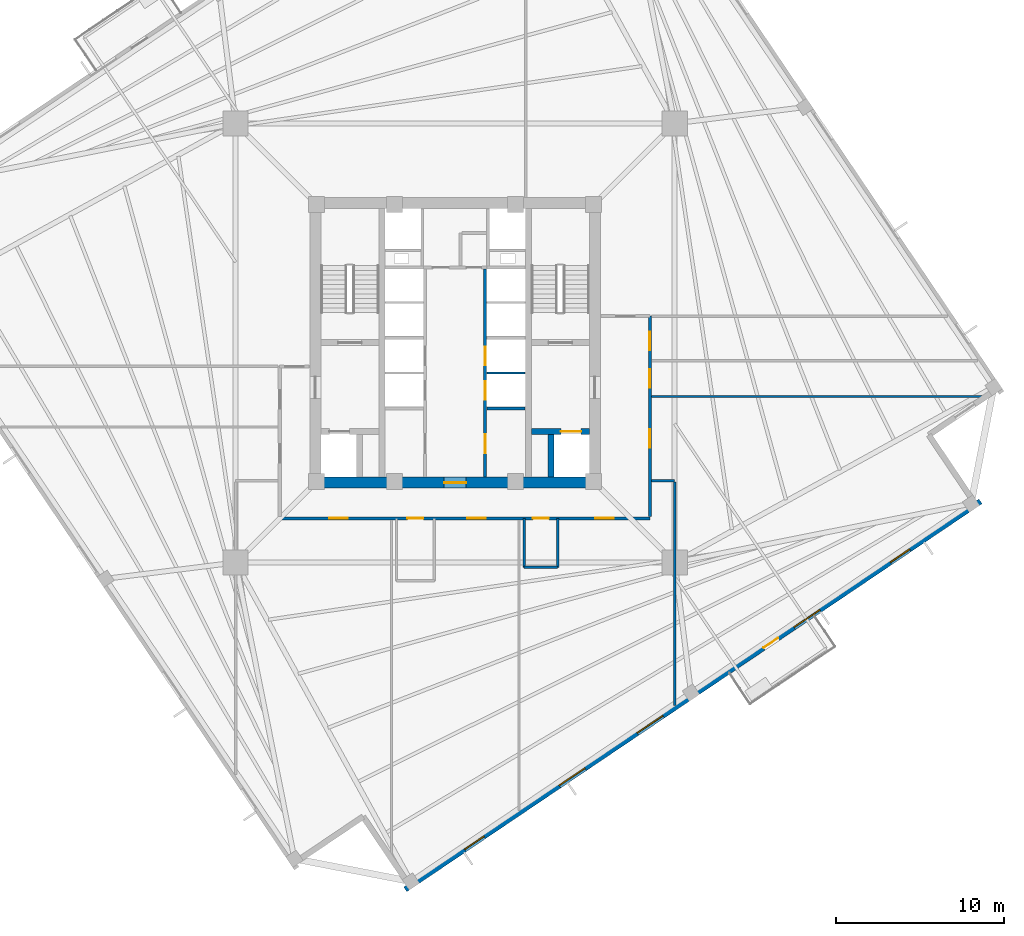
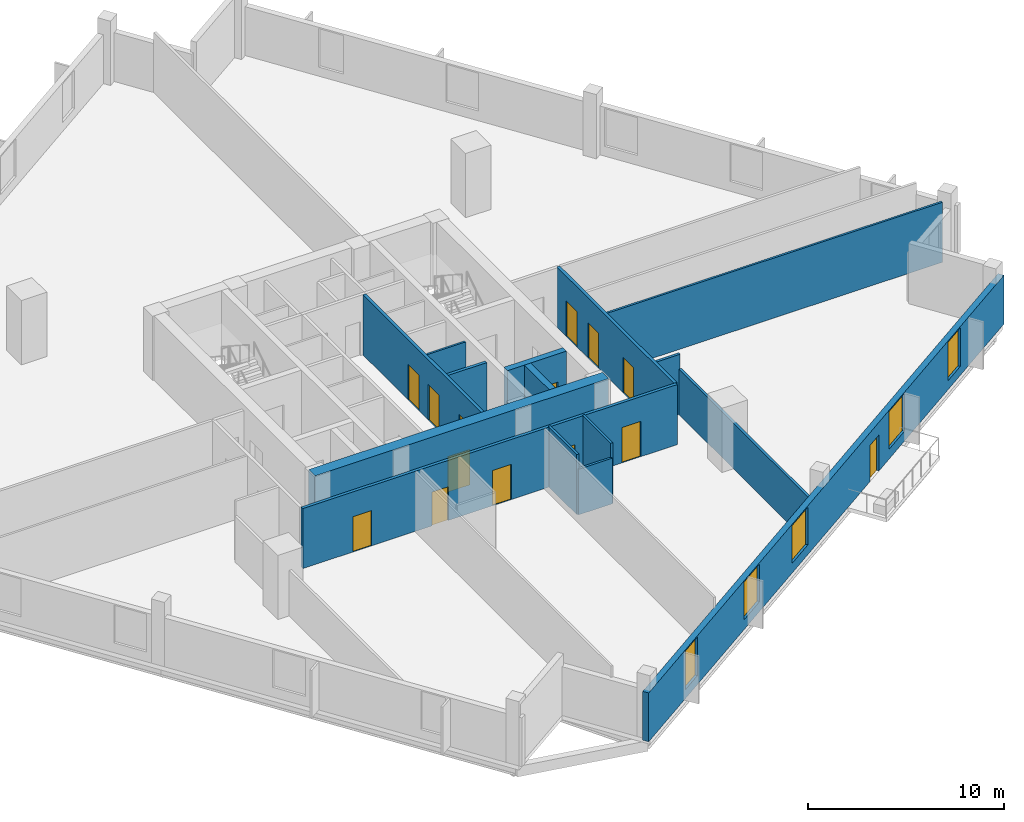
# One storey, part 3 of 8: 15 walls, 14 doors, 5 windows, 19 openings.
"""IFC4 building model written with IfcOpenShell, lengths in metres."""

from ifc_helpers import new_model, si_unit, direction, frame, frame_2d, origin, place, context, subcontext, project, spatial, rectangle, extrude, source, transform, mapped, material, layer, layer_set, type_object, element, fill, save


model = new_model("IFC4")

# Units and contexts
model_context = context("Model", 3, precision=1e-05, world=origin(), true_north=direction((0.0, 1.0)))
body_context = subcontext(model_context, "Body", "Model", "MODEL_VIEW")
ifc_project = project(units=[si_unit("LENGTHUNIT", "METRE"), si_unit("AREAUNIT", "SQUARE_METRE"), si_unit("VOLUMEUNIT", "CUBIC_METRE"), si_unit("PLANEANGLEUNIT", "RADIAN"), si_unit("MASSUNIT", "GRAM", prefix="KILO"), si_unit("THERMODYNAMICTEMPERATUREUNIT", "KELVIN")], contexts=[model_context])

# Site, building, storey
site_placement = place(None, origin())
site = spatial("IfcSite", under=ifc_project, at=site_placement, CompositionType="ELEMENT")
building_placement = place(site_placement, origin())
building = spatial("IfcBuilding", under=site, at=building_placement, Name="Kosmvard Interchange Tower", CompositionType="ELEMENT")
storey_placement = place(building_placement, frame((0.0, 0.0, 172.39990234375)))
storey = spatial("IfcBuildingStorey", under=building, at=storey_placement, Name="L41", CompositionType="ELEMENT", Elevation=172.39990234375)

# Walls
ifc_material_1 = material(Name="Acoustic gypsum partition system")
ifc_layer_1 = layer(ifc_material_1, 0.14990234375, Name="Acoustic gypsum partition system")
ifc_layer_set_1 = layer_set([ifc_layer_1], Name="Acoustic gypsum partition system")
wall_type_1 = type_object("IfcWallType", Name="Acoustic Suite & Meeting Partition 150", PredefinedType="PARTITIONING", material=ifc_layer_set_1)
wall_1_placement = place(storey_placement, frame((11.695068359375, -8.199951171875, 0.0), z_axis=(0.0, 0.0, 1.0), x_axis=(1.0, 0.0, 0.0)))
element("IfcWall", 1, at=wall_1_placement, inside=storey, type_object=wall_type_1, Name="L41 Room Partition 10.1", PredefinedType="PARTITIONING", context=body_context, shape_type="SweptSolid", body=[
    extrude(rectangle(XDim=1.385986328125, YDim=0.14990234375, at=frame_2d((0.69287109375, 0.0))), origin(), (0.0, 0.0, 1.0), 3.739990234375),
])
wall_2_placement = place(storey_placement, frame((13.0810546875, -8.27490234375, 0.0), z_axis=(0.0, 0.0, 1.0), x_axis=(0.0, -1.0, 0.0)))
element("IfcWall", 2, at=wall_2_placement, inside=storey, type_object=wall_type_1, Name="L41 Room Partition 11.1", PredefinedType="PARTITIONING", context=body_context, shape_type="SweptSolid", body=[
    extrude(rectangle(XDim=13.32861328125, YDim=0.14990234375, at=frame_2d((6.664306640625, 0.0))), origin(), (0.0, 0.0, 1.0), 2.840087890625),
])

# Wall, openings, doors
ifc_material_2 = material(Name="Fire-rated gypsum partition system")
ifc_layer_2 = layer(ifc_material_2, 0.179931640625, Name="Fire-rated gypsum partition system")
ifc_layer_set_2 = layer_set([ifc_layer_2], Name="Fire-rated gypsum partition system")
wall_type_2 = type_object("IfcWallType", Name="Corridor & Hotel Compartment Partition 180", PredefinedType="PARTITIONING", material=ifc_layer_set_2)
wall_3_placement = place(storey_placement, frame((1.7900390625, -7.97998046875, 0.0), z_axis=(0.0, 0.0, 1.0), x_axis=(0.0, 1.0, 0.0)))
wall_3 = element("IfcWall", 3, at=wall_3_placement, inside=storey, type_object=wall_type_2, Name="L41 East Lift Bank Front Wall", PredefinedType="PARTITIONING", context=body_context, shape_type="SweptSolid", body=[
    extrude(rectangle(XDim=12.3798828125, YDim=0.179931640625, at=frame_2d((6.18994140625, 0.0))), origin(), (0.0, 0.0, 1.0), 3.739990234375),
])
opening_1_placement = place(wall_3_placement, frame((4.60009765625, 0.0, 0.0)))
opening_1 = element("IfcOpeningElement", 4, at=opening_1_placement, cuts=wall_3, Name="Opening LD-PL-M3-L41", PredefinedType="OPENING", context=body_context, shape_type="SweptSolid", body=[
    extrude(rectangle(XDim=1.10009765625, YDim=2.199951171875, at=frame_2d((0.550048828125, 1.10009765625))), frame((0.0, 0.10009765625, 0.0), z_axis=(0.0, -1.0, 0.0), x_axis=(1.0, 0.0, 0.0)), (0.0, 0.0, 1.0), 0.199951171875),
])
opening_2_placement = place(wall_3_placement, frame((6.659912109375, 0.0, 0.0)))
opening_2 = element("IfcOpeningElement", 5, at=opening_2_placement, cuts=wall_3, Name="Opening LD-PL-M4-L41", PredefinedType="OPENING", context=body_context, shape_type="SweptSolid", body=[
    extrude(rectangle(XDim=1.10009765625, YDim=2.199951171875, at=frame_2d((0.550048828125, 1.10009765625))), frame((0.0, 0.10009765625, 0.0), z_axis=(0.0, -1.0, 0.0), x_axis=(1.0, 0.0, 0.0)), (0.0, 0.0, 1.0), 0.199951171875),
])
opening_3_placement = place(wall_3_placement, frame((1.39990234375, 0.0, 0.0)))
opening_3 = element("IfcOpeningElement", 6, at=opening_3_placement, cuts=wall_3, Name="Opening L41-CD2", PredefinedType="OPENING", context=body_context, shape_type="SweptSolid", body=[
    extrude(rectangle(XDim=1.14990234375, YDim=2.25, at=frame_2d((0.574951171875, 1.125))), frame((0.0, 0.10009765625, 0.0), z_axis=(0.0, -1.0, 0.0), x_axis=(1.0, 0.0, 0.0)), (0.0, 0.0, 1.0), 0.199951171875),
])
ifc_material_3 = material(Name="Painted fire-rated steel leaf", Category="steel")
door_type_1 = type_object("IfcDoorType", Name="Plant & Riser Fire Door 1150x2250 EI60", OperationType="NOTDEFINED", PredefinedType="DOOR", material=ifc_material_3)
shared_shape_1 = source(origin(), body_context, "Body", "SweptSolid", [
    extrude(rectangle(XDim=1.14990234375, YDim=2.25, at=frame_2d((0.574951171875, 1.125))), frame((0.0, 0.02490234375, 0.0), z_axis=(0.0, -1.0, 0.0), x_axis=(1.0, 0.0, 0.0)), (0.0, 0.0, 1.0), 0.050048828125),
])
door_1_placement = place(opening_3_placement, frame((1.14990234375, 0.0, 0.0), z_axis=(0.0, 0.0, 1.0), x_axis=(-1.0, 0.0, 0.0)))
door_1 = element("IfcDoor", 7, at=door_1_placement, inside=storey, type_object=door_type_1, Name="L41 Core BMS Door", OperationType="SINGLE_SWING_RIGHT", OverallHeight=2.25, OverallWidth=1.14990234375, PredefinedType="DOOR", context=body_context, shape_type="MappedRepresentation", body=[
    mapped(shared_shape_1, transform((0.0, 0.0, 0.0), scale=1.0)),
])
fill(opening_3, door_1)
ifc_material_4 = material(Name="Brushed stainless steel sliding leaf", Category="steel")
door_type_2 = type_object("IfcDoorType", Name="Passenger Lift Sliding Landing Door 1100x2200 EI60", OperationType="DOUBLE_DOOR_SLIDING", PredefinedType="DOOR", material=ifc_material_4)
shared_shape_2 = source(origin(), body_context, "Body", "SweptSolid", [
    extrude(rectangle(XDim=1.10009765625, YDim=2.199951171875, at=frame_2d((0.550048828125, 1.10009765625))), frame((0.0, 0.02490234375, 0.0), z_axis=(0.0, -1.0, 0.0), x_axis=(1.0, 0.0, 0.0)), (0.0, 0.0, 1.0), 0.050048828125),
])
door_2_placement = place(opening_1_placement, origin())
door_2 = element("IfcDoor", 8, at=door_2_placement, inside=storey, type_object=door_type_2, Name="Lift PL-M3 Landing Door L41", OperationType="DOUBLE_DOOR_SLIDING", OverallHeight=2.199951171875, OverallWidth=1.10009765625, PredefinedType="DOOR", context=body_context, shape_type="MappedRepresentation", body=[
    mapped(shared_shape_2, transform((0.0, 0.0, 0.0), scale=1.0)),
])
fill(opening_1, door_2)
door_3_placement = place(opening_2_placement, origin())
door_3 = element("IfcDoor", 9, at=door_3_placement, inside=storey, type_object=door_type_2, Name="Lift PL-M4 Landing Door L41", OperationType="DOUBLE_DOOR_SLIDING", OverallHeight=2.199951171875, OverallWidth=1.10009765625, PredefinedType="DOOR", context=body_context, shape_type="MappedRepresentation", body=[
    mapped(shared_shape_2, transform((0.0, 0.0, 0.0), scale=1.0)),
])
fill(opening_2, door_3)

wall_4_placement = place(storey_placement, frame((-10.449951171875, -10.449951171875, 0.0), z_axis=(0.0, 0.0, 1.0), x_axis=(1.0, 0.0, 0.0)))
wall_4 = element("IfcWall", 10, at=wall_4_placement, inside=storey, type_object=wall_type_2, Name="L41 Corridor Wall CS", PredefinedType="PARTITIONING", context=body_context, shape_type="SweptSolid", body=[
    extrude(rectangle(XDim=22.050048828125, YDim=0.179931640625, at=frame_2d((11.02490234375, 0.0))), origin(), (0.0, 0.0, 1.0), 3.739990234375),
])
opening_4_placement = place(wall_4_placement, frame((15.086181640625, 0.0, 0.0)))
opening_4 = element("IfcOpeningElement", 11, at=opening_4_placement, cuts=wall_4, Name="Opening L41-D01", PredefinedType="OPENING", context=body_context, shape_type="SweptSolid", body=[
    extrude(rectangle(XDim=0.949951171875, YDim=2.10009765625, at=frame_2d((0.47509765625, 1.050048828125))), frame((0.0, 0.10009765625, 0.0), z_axis=(0.0, -1.0, 0.0), x_axis=(1.0, 0.0, 0.0)), (0.0, 0.0, 1.0), 0.199951171875),
])
opening_5_placement = place(wall_4_placement, frame((7.611083984375, 0.0, 0.0)))
opening_5 = element("IfcOpeningElement", 12, at=opening_5_placement, cuts=wall_4, Name="Opening L41-D02", PredefinedType="OPENING", context=body_context, shape_type="SweptSolid", body=[
    extrude(rectangle(XDim=0.949951171875, YDim=2.10009765625, at=frame_2d((0.47509765625, 1.050048828125))), frame((0.0, 0.10009765625, 0.0), z_axis=(0.0, -1.0, 0.0), x_axis=(1.0, 0.0, 0.0)), (0.0, 0.0, 1.0), 0.199951171875),
])
opening_6_placement = place(wall_4_placement, frame((2.939453125, 0.0, 0.0)))
opening_6 = element("IfcOpeningElement", 13, at=opening_6_placement, cuts=wall_4, Name="Opening L41-D08", PredefinedType="OPENING", context=body_context, shape_type="SweptSolid", body=[
    extrude(rectangle(XDim=1.10009765625, YDim=2.199951171875, at=frame_2d((0.550048828125, 1.10009765625))), frame((0.0, 0.10009765625, 0.0), z_axis=(0.0, -1.0, 0.0), x_axis=(1.0, 0.0, 0.0)), (0.0, 0.0, 1.0), 0.199951171875),
])
opening_7_placement = place(wall_4_placement, frame((11.174560546875, 0.0, 0.0)))
opening_7 = element("IfcOpeningElement", 14, at=opening_7_placement, cuts=wall_4, Name="Opening L41-D09", PredefinedType="OPENING", context=body_context, shape_type="SweptSolid", body=[
    extrude(rectangle(XDim=1.10009765625, YDim=2.199951171875, at=frame_2d((0.550048828125, 1.10009765625))), frame((0.0, 0.10009765625, 0.0), z_axis=(0.0, -1.0, 0.0), x_axis=(1.0, 0.0, 0.0)), (0.0, 0.0, 1.0), 0.199951171875),
])
opening_8_placement = place(wall_4_placement, frame((18.80517578125, 0.0, 0.0)))
opening_8 = element("IfcOpeningElement", 15, at=opening_8_placement, cuts=wall_4, Name="Opening L41-D10", PredefinedType="OPENING", context=body_context, shape_type="SweptSolid", body=[
    extrude(rectangle(XDim=1.10009765625, YDim=2.199951171875, at=frame_2d((0.550048828125, 1.10009765625))), frame((0.0, 0.10009765625, 0.0), z_axis=(0.0, -1.0, 0.0), x_axis=(1.0, 0.0, 0.0)), (0.0, 0.0, 1.0), 0.199951171875),
])
ifc_material_5 = material(Name="Laminated moisture-resistant timber", Category="wood")
door_type_3 = type_object("IfcDoorType", Name="Accessible Washroom Door 950x2100", OperationType="NOTDEFINED", PredefinedType="DOOR", material=ifc_material_5)
shared_shape_3 = source(origin(), body_context, "Body", "SweptSolid", [
    extrude(rectangle(XDim=0.949951171875, YDim=2.10009765625, at=frame_2d((0.47509765625, 1.050048828125))), frame((0.0, 0.02490234375, 0.0), z_axis=(0.0, -1.0, 0.0), x_axis=(1.0, 0.0, 0.0)), (0.0, 0.0, 1.0), 0.050048828125),
])
door_4_placement = place(opening_4_placement, frame((0.949951171875, 0.0, 0.0), z_axis=(0.0, 0.0, 1.0), x_axis=(-1.0, 0.0, 0.0)))
door_4 = element("IfcDoor", 16, at=door_4_placement, inside=storey, type_object=door_type_3, Name="L41 Accessible Toilet Door", OperationType="SINGLE_SWING_LEFT", OverallHeight=2.10009765625, OverallWidth=0.949951171875, PredefinedType="DOOR", context=body_context, shape_type="MappedRepresentation", body=[
    mapped(shared_shape_3, transform((0.0, 0.0, 0.0), scale=1.0)),
])
fill(opening_4, door_4)
door_5_placement = place(opening_5_placement, frame((0.949951171875, 0.0, 0.0), z_axis=(0.0, 0.0, 1.0), x_axis=(-1.0, 0.0, 0.0)))
door_5 = element("IfcDoor", 17, at=door_5_placement, inside=storey, type_object=door_type_3, Name="L41 Public Floor Washroom Door", OperationType="SINGLE_SWING_RIGHT", OverallHeight=2.10009765625, OverallWidth=0.949951171875, PredefinedType="DOOR", context=body_context, shape_type="MappedRepresentation", body=[
    mapped(shared_shape_3, transform((0.0, 0.0, 0.0), scale=1.0)),
])
fill(opening_5, door_5)
ifc_material_6 = material(Name="Engineered oak fire-rated timber", Category="wood")
door_type_4 = type_object("IfcDoorType", Name="Office Suite Entrance Door 1100x2200 FD30S", OperationType="NOTDEFINED", PredefinedType="DOOR", material=ifc_material_6)
door_6_placement = place(opening_6_placement, frame((1.10009765625, 0.0, 0.0), z_axis=(0.0, 0.0, 1.0), x_axis=(-1.0, 0.0, 0.0)))
door_6 = element("IfcDoor", 18, at=door_6_placement, inside=storey, type_object=door_type_4, Name="L41 Trader Quiet Lounge Door", OperationType="SINGLE_SWING_RIGHT", OverallHeight=2.199951171875, OverallWidth=1.10009765625, PredefinedType="DOOR", context=body_context, shape_type="MappedRepresentation", body=[
    mapped(shared_shape_2, transform((0.0, 0.0, 0.0), scale=1.0)),
])
fill(opening_6, door_6)
door_7_placement = place(opening_7_placement, frame((1.10009765625, 0.0, 0.0), z_axis=(0.0, 0.0, 1.0), x_axis=(-1.0, 0.0, 0.0)))
door_7 = element("IfcDoor", 19, at=door_7_placement, inside=storey, type_object=door_type_4, Name="L41 Exchange Visitor Reception Door", OperationType="SINGLE_SWING_LEFT", OverallHeight=2.199951171875, OverallWidth=1.10009765625, PredefinedType="DOOR", context=body_context, shape_type="MappedRepresentation", body=[
    mapped(shared_shape_2, transform((0.0, 0.0, 0.0), scale=1.0)),
])
fill(opening_7, door_7)
door_8_placement = place(opening_8_placement, frame((1.10009765625, 0.0, 0.0), z_axis=(0.0, 0.0, 1.0), x_axis=(-1.0, 0.0, 0.0)))
door_8 = element("IfcDoor", 20, at=door_8_placement, inside=storey, type_object=door_type_4, Name="L41 Executive Study Room Door", OperationType="SINGLE_SWING_RIGHT", OverallHeight=2.199951171875, OverallWidth=1.10009765625, PredefinedType="DOOR", context=body_context, shape_type="MappedRepresentation", body=[
    mapped(shared_shape_2, transform((0.0, 0.0, 0.0), scale=1.0)),
])
fill(opening_8, door_8)

wall_5_placement = place(storey_placement, frame((11.60009765625, -10.35009765625, 0.0), z_axis=(0.0, 0.0, 1.0), x_axis=(0.0, 1.0, 0.0)))
wall_5 = element("IfcWall", 21, at=wall_5_placement, inside=storey, type_object=wall_type_2, Name="L41 Corridor Wall CE", PredefinedType="PARTITIONING", context=body_context, shape_type="SweptSolid", body=[
    extrude(rectangle(XDim=11.9501953125, YDim=0.179931640625, at=frame_2d((5.97509765625, 0.0))), origin(), (0.0, 0.0, 1.0), 3.739990234375),
])
opening_9_placement = place(wall_5_placement, frame((9.91064453125, 0.0, 0.0)))
opening_9 = element("IfcOpeningElement", 22, at=opening_9_placement, cuts=wall_5, Name="Opening L41-D05", PredefinedType="OPENING", context=body_context, shape_type="SweptSolid", body=[
    extrude(rectangle(XDim=1.10009765625, YDim=2.199951171875, at=frame_2d((0.550048828125, 1.10009765625))), frame((0.0, 0.10009765625, 0.0), z_axis=(0.0, -1.0, 0.0), x_axis=(1.0, 0.0, 0.0)), (0.0, 0.0, 1.0), 0.199951171875),
])
opening_10_placement = place(wall_5_placement, frame((4.10009765625, 0.0, 0.0)))
opening_10 = element("IfcOpeningElement", 23, at=opening_10_placement, cuts=wall_5, Name="Opening L41-D11", PredefinedType="OPENING", context=body_context, shape_type="SweptSolid", body=[
    extrude(rectangle(XDim=1.10009765625, YDim=2.199951171875, at=frame_2d((0.550048828125, 1.10009765625))), frame((0.0, 0.10009765625, 0.0), z_axis=(0.0, -1.0, 0.0), x_axis=(1.0, 0.0, 0.0)), (0.0, 0.0, 1.0), 0.199951171875),
])
opening_11_placement = place(wall_5_placement, frame((7.675048828125, 0.0, 0.0)))
opening_11 = element("IfcOpeningElement", 24, at=opening_11_placement, cuts=wall_5, Name="Opening L41-D12", PredefinedType="OPENING", context=body_context, shape_type="SweptSolid", body=[
    extrude(rectangle(XDim=1.10009765625, YDim=2.199951171875, at=frame_2d((0.550048828125, 1.10009765625))), frame((0.0, 0.10009765625, 0.0), z_axis=(0.0, -1.0, 0.0), x_axis=(1.0, 0.0, 0.0)), (0.0, 0.0, 1.0), 0.199951171875),
])
door_9_placement = place(opening_9_placement, frame((1.10009765625, 0.0, 0.0), z_axis=(0.0, 0.0, 1.0), x_axis=(-1.0, 0.0, 0.0)))
door_9 = element("IfcDoor", 25, at=door_9_placement, inside=storey, type_object=door_type_4, Name="L41 East Market Briefing Hall Door", OperationType="SINGLE_SWING_LEFT", OverallHeight=2.199951171875, OverallWidth=1.10009765625, PredefinedType="DOOR", context=body_context, shape_type="MappedRepresentation", body=[
    mapped(shared_shape_2, transform((0.0, 0.0, 0.0), scale=1.0)),
])
fill(opening_9, door_9)
door_10_placement = place(opening_10_placement, frame((1.10009765625, 0.0, 0.0), z_axis=(0.0, 0.0, 1.0), x_axis=(-1.0, 0.0, 0.0)))
door_10 = element("IfcDoor", 26, at=door_10_placement, inside=storey, type_object=door_type_4, Name="L41 Communal Catering Pantry Door", OperationType="SINGLE_SWING_LEFT", OverallHeight=2.199951171875, OverallWidth=1.10009765625, PredefinedType="DOOR", context=body_context, shape_type="MappedRepresentation", body=[
    mapped(shared_shape_2, transform((0.0, 0.0, 0.0), scale=1.0)),
])
fill(opening_10, door_10)
door_11_placement = place(opening_11_placement, frame((1.10009765625, 0.0, 0.0), z_axis=(0.0, 0.0, 1.0), x_axis=(-1.0, 0.0, 0.0)))
door_11 = element("IfcDoor", 27, at=door_11_placement, inside=storey, type_object=door_type_4, Name="L41 Deal Conference Room 2 Door", OperationType="SINGLE_SWING_RIGHT", OverallHeight=2.199951171875, OverallWidth=1.10009765625, PredefinedType="DOOR", context=body_context, shape_type="MappedRepresentation", body=[
    mapped(shared_shape_2, transform((0.0, 0.0, 0.0), scale=1.0)),
])
fill(opening_11, door_11)

# Wall, opening, door
ifc_material_7 = material(Name="Concrete C70/85", Category="concrete")
ifc_layer_3 = layer(ifc_material_7, 0.64990234375, Name="Concrete C70/85")
ifc_layer_set_3 = layer_set([ifc_layer_3], Name="Concrete C70/85")
wall_type_3 = type_object("IfcWallType", Name="Mid Core Shear Wall 650 C70/85", PredefinedType="SHEAR", material=ifc_layer_set_3)
wall_6_placement = place(storey_placement, frame((-8.64990234375, -8.324951171875, 0.0), z_axis=(0.0, 0.0, 1.0), x_axis=(1.0, 0.0, 0.0)))
wall_6 = element("IfcWall", 28, at=wall_6_placement, inside=storey, type_object=wall_type_3, Name="L41 Core Shear Wall CW-S", PredefinedType="SHEAR", context=body_context, shape_type="SweptSolid", body=[
    extrude(rectangle(XDim=17.2998046875, YDim=0.64990234375, at=frame_2d((8.64990234375, 0.0))), origin(), (0.0, 0.0, 1.0), 4.0),
])
opening_12_placement = place(wall_6_placement, frame((8.0, 0.0, 0.0)))
opening_12 = element("IfcOpeningElement", 29, at=opening_12_placement, cuts=wall_6, Name="Opening L41-LD0", PredefinedType="OPENING", context=body_context, shape_type="SweptSolid", body=[
    extrude(rectangle(XDim=1.300048828125, YDim=2.199951171875, at=frame_2d((0.64990234375, 1.10009765625))), frame((0.0, 0.3349609375, 0.0), z_axis=(0.0, -1.0, 0.0), x_axis=(1.0, 0.0, 0.0)), (0.0, 0.0, 1.0), 0.669921875),
])
door_type_5 = type_object("IfcDoorType", Name="Firefighting Lobby Door 1300x2200 EI60", OperationType="NOTDEFINED", PredefinedType="DOOR", material=ifc_material_3)
shared_shape_4 = source(origin(), body_context, "Body", "SweptSolid", [
    extrude(rectangle(XDim=1.300048828125, YDim=2.199951171875, at=frame_2d((0.64990234375, 1.10009765625))), frame((0.0, 0.02490234375, 0.0), z_axis=(0.0, -1.0, 0.0), x_axis=(1.0, 0.0, 0.0)), (0.0, 0.0, 1.0), 0.050048828125),
])
door_12_placement = place(opening_12_placement, frame((1.300048828125, 0.0, 0.0), z_axis=(0.0, 0.0, 1.0), x_axis=(-1.0, 0.0, 0.0)))
door_12 = element("IfcDoor", 30, at=door_12_placement, inside=storey, type_object=door_type_5, Name="L41 Passenger Lift Lobby South Door", OperationType="SINGLE_SWING_RIGHT", OverallHeight=2.199951171875, OverallWidth=1.300048828125, PredefinedType="DOOR", context=body_context, shape_type="MappedRepresentation", body=[
    mapped(shared_shape_4, transform((0.0, 0.0, 0.0), scale=1.0)),
])
fill(opening_12, door_12)

# Wall, openings, door, windows
ifc_material_8 = material(Name="Precast concrete C45/55", Category="concrete")
ifc_layer_4 = layer(ifc_material_8, 0.340087890625, Name="Precast concrete C45/55")
ifc_layer_set_4 = layer_set([ifc_layer_4], Name="Precast concrete C45/55")
wall_type_4 = type_object("IfcWallType", Name="Mid Tower Precast Pier Wall 340 C45/55", PredefinedType="STANDARD", material=ifc_layer_set_4)
wall_7_placement = place(storey_placement, frame((-2.971923828125, -32.55810546875, 0.0), z_axis=(0.0, 0.0, 1.0), x_axis=(0.829036218961, 0.559194910251, 0.0)))
wall_7 = element("IfcWall", 31, at=wall_7_placement, inside=storey, type_object=wall_type_4, Name="L41 Precast Facade Wall F-S", PredefinedType="STANDARD", context=body_context, shape_type="SweptSolid", body=[
    extrude(rectangle(XDim=41.340087890625, YDim=0.340087890625, at=frame_2d((20.669921875, 0.0))), origin(), (0.0, 0.0, 1.0), 3.0400390625),
])
opening_13_placement = place(wall_7_placement, frame((25.7451171875, 0.0, 0.0)))
opening_13 = element("IfcOpeningElement", 32, at=opening_13_placement, cuts=wall_7, Name="Opening L41-BDW", PredefinedType="OPENING", context=body_context, shape_type="SweptSolid", body=[
    extrude(rectangle(XDim=1.050048828125, YDim=2.25, at=frame_2d((0.52490234375, 1.125))), frame((0.0, 0.18017578125, 0.0), z_axis=(0.0, -1.0, 0.0), x_axis=(1.0, 0.0, 0.0)), (0.0, 0.0, 1.0), 0.360107421875),
])
opening_14_placement = place(wall_7_placement, frame((4.2607421875, 0.0, 0.56005859375)))
opening_14 = element("IfcOpeningElement", 33, at=opening_14_placement, cuts=wall_7, Name="Opening L41-W01", PredefinedType="OPENING", context=body_context, shape_type="SweptSolid", body=[
    extrude(rectangle(XDim=1.39990234375, YDim=2.39990234375, at=frame_2d((0.699951171875, 1.199951171875))), frame((0.0, 0.18017578125, 0.0), z_axis=(0.0, -1.0, 0.0), x_axis=(1.0, 0.0, 0.0)), (0.0, 0.0, 1.0), 0.360107421875),
])
opening_15_placement = place(wall_7_placement, frame((11.063720703125, 0.0, 0.610107421875)))
opening_15 = element("IfcOpeningElement", 34, at=opening_15_placement, cuts=wall_7, Name="Opening L41-W02", PredefinedType="OPENING", context=body_context, shape_type="SweptSolid", body=[
    extrude(rectangle(XDim=1.85009765625, YDim=2.35009765625, at=frame_2d((0.925048828125, 1.175048828125))), frame((0.0, 0.18017578125, 0.0), z_axis=(0.0, -1.0, 0.0), x_axis=(1.0, 0.0, 0.0)), (0.0, 0.0, 1.0), 0.360107421875),
])
opening_16_placement = place(wall_7_placement, frame((16.668212890625, 0.0, 0.610107421875)))
opening_16 = element("IfcOpeningElement", 35, at=opening_16_placement, cuts=wall_7, Name="Opening L41-W03", PredefinedType="OPENING", context=body_context, shape_type="SweptSolid", body=[
    extrude(rectangle(XDim=1.85009765625, YDim=2.35009765625, at=frame_2d((0.925048828125, 1.175048828125))), frame((0.0, 0.18017578125, 0.0), z_axis=(0.0, -1.0, 0.0), x_axis=(1.0, 0.0, 0.0)), (0.0, 0.0, 1.0), 0.360107421875),
])
opening_17_placement = place(wall_7_placement, frame((27.936279296875, 0.0, 0.610107421875)))
opening_17 = element("IfcOpeningElement", 36, at=opening_17_placement, cuts=wall_7, Name="Opening L41-W04", PredefinedType="OPENING", context=body_context, shape_type="SweptSolid", body=[
    extrude(rectangle(XDim=1.85009765625, YDim=2.35009765625, at=frame_2d((0.925048828125, 1.175048828125))), frame((0.0, 0.18017578125, 0.0), z_axis=(0.0, -1.0, 0.0), x_axis=(1.0, 0.0, 0.0)), (0.0, 0.0, 1.0), 0.360107421875),
])
opening_18_placement = place(wall_7_placement, frame((34.852294921875, 0.0, 0.56005859375)))
opening_18 = element("IfcOpeningElement", 37, at=opening_18_placement, cuts=wall_7, Name="Opening L41-W05", PredefinedType="OPENING", context=body_context, shape_type="SweptSolid", body=[
    extrude(rectangle(XDim=1.39990234375, YDim=2.39990234375, at=frame_2d((0.699951171875, 1.199951171875))), frame((0.0, 0.18017578125, 0.0), z_axis=(0.0, -1.0, 0.0), x_axis=(1.0, 0.0, 0.0)), (0.0, 0.0, 1.0), 0.360107421875),
])
ifc_material_9 = material(Name="Anodised aluminium and safety glass", Category="aluminium")
door_type_6 = type_object("IfcDoorType", Name="Tree-Balcony Glazed Door 1050x2250", OperationType="NOTDEFINED", PredefinedType="DOOR", material=ifc_material_9)
shared_shape_5 = source(origin(), body_context, "Body", "SweptSolid", [
    extrude(rectangle(XDim=1.050048828125, YDim=2.25, at=frame_2d((0.52490234375, 1.125))), frame((0.0, 0.02490234375, 0.0), z_axis=(0.0, -1.0, 0.0), x_axis=(1.0, 0.0, 0.0)), (0.0, 0.0, 1.0), 0.050048828125),
])
door_13_placement = place(opening_13_placement, origin())
door_13 = element("IfcDoor", 38, at=door_13_placement, inside=storey, type_object=door_type_6, Name="L41 Tree-Balcony Door BAL-L41-SW", OperationType="SINGLE_SWING_RIGHT", OverallHeight=2.25, OverallWidth=1.050048828125, PredefinedType="DOOR", context=body_context, shape_type="MappedRepresentation", body=[
    mapped(shared_shape_5, transform((0.0, 0.0, 0.0), scale=1.0)),
])
fill(opening_13, door_13)
ifc_material_10 = material(Name="Low-E solar-control double glazing", Category="glass")
window_type_1 = type_object("IfcWindowType", Name="Notched Corner Feature Window 1400x2400", PartitioningType="SINGLE_PANEL", PredefinedType="WINDOW", material=ifc_material_10)
shared_shape_6 = source(origin(), body_context, "Body", "SweptSolid", [
    extrude(rectangle(XDim=1.39990234375, YDim=2.39990234375, at=frame_2d((0.699951171875, 1.199951171875))), frame((0.0, 0.030029296875, 0.0), z_axis=(0.0, -1.0, 0.0), x_axis=(1.0, 0.0, 0.0)), (0.0, 0.0, 1.0), 0.06005859375),
])
window_1_placement = place(opening_14_placement, origin())
window_1 = element("IfcWindow", 39, at=window_1_placement, inside=storey, type_object=window_type_1, Name="L41 Facade Punched Window 01", OverallHeight=2.39990234375, OverallWidth=1.39990234375, PartitioningType="SINGLE_PANEL", PredefinedType="WINDOW", context=body_context, shape_type="MappedRepresentation", body=[
    mapped(shared_shape_6, transform((0.0, 0.0, 0.0), scale=1.0)),
])
fill(opening_14, window_1)
window_2_placement = place(opening_18_placement, origin())
window_2 = element("IfcWindow", 40, at=window_2_placement, inside=storey, type_object=window_type_1, Name="L41 Facade Punched Window 05", OverallHeight=2.39990234375, OverallWidth=1.39990234375, PartitioningType="SINGLE_PANEL", PredefinedType="WINDOW", context=body_context, shape_type="MappedRepresentation", body=[
    mapped(shared_shape_6, transform((0.0, 0.0, 0.0), scale=1.0)),
])
fill(opening_18, window_2)
window_type_2 = type_object("IfcWindowType", Name="Zone 3 Office Punched Window 1850x2350", PartitioningType="SINGLE_PANEL", PredefinedType="WINDOW", material=ifc_material_10)
shared_shape_7 = source(origin(), body_context, "Body", "SweptSolid", [
    extrude(rectangle(XDim=1.85009765625, YDim=2.35009765625, at=frame_2d((0.925048828125, 1.175048828125))), frame((0.0, 0.030029296875, 0.0), z_axis=(0.0, -1.0, 0.0), x_axis=(1.0, 0.0, 0.0)), (0.0, 0.0, 1.0), 0.06005859375),
])
window_3_placement = place(opening_15_placement, origin())
window_3 = element("IfcWindow", 41, at=window_3_placement, inside=storey, type_object=window_type_2, Name="L41 Facade Punched Window 02", OverallHeight=2.35009765625, OverallWidth=1.85009765625, PartitioningType="SINGLE_PANEL", PredefinedType="WINDOW", context=body_context, shape_type="MappedRepresentation", body=[
    mapped(shared_shape_7, transform((0.0, 0.0, 0.0), scale=1.0)),
])
fill(opening_15, window_3)
window_4_placement = place(opening_16_placement, origin())
window_4 = element("IfcWindow", 42, at=window_4_placement, inside=storey, type_object=window_type_2, Name="L41 Facade Punched Window 03", OverallHeight=2.35009765625, OverallWidth=1.85009765625, PartitioningType="SINGLE_PANEL", PredefinedType="WINDOW", context=body_context, shape_type="MappedRepresentation", body=[
    mapped(shared_shape_7, transform((0.0, 0.0, 0.0), scale=1.0)),
])
fill(opening_16, window_4)
window_5_placement = place(opening_17_placement, origin())
window_5 = element("IfcWindow", 43, at=window_5_placement, inside=storey, type_object=window_type_2, Name="L41 Facade Punched Window 04", OverallHeight=2.35009765625, OverallWidth=1.85009765625, PartitioningType="SINGLE_PANEL", PredefinedType="WINDOW", context=body_context, shape_type="MappedRepresentation", body=[
    mapped(shared_shape_7, transform((0.0, 0.0, 0.0), scale=1.0)),
])
fill(opening_17, window_5)

# Walls
ifc_material_11 = material(Name="Gypsum board partition system")
ifc_layer_5 = layer(ifc_material_11, 0.1201171875, Name="Gypsum board partition system")
ifc_layer_set_5 = layer_set([ifc_layer_5], Name="Gypsum board partition system")
wall_type_5 = type_object("IfcWallType", Name="Office Cellular Partition 120", PredefinedType="PARTITIONING", material=ifc_layer_set_5)
wall_8_placement = place(storey_placement, frame((11.695068359375, -3.199951171875, 0.0), z_axis=(0.0, 0.0, 1.0), x_axis=(1.0, 0.0, 0.0)))
element("IfcWall", 44, at=wall_8_placement, inside=storey, type_object=wall_type_5, Name="L41 Room Partition 12.1", PredefinedType="PARTITIONING", context=body_context, shape_type="SweptSolid", body=[
    extrude(rectangle(XDim=19.72900390625, YDim=0.1201171875, at=frame_2d((9.864501953125, 0.0))), origin(), (0.0, 0.0, 1.0), 3.739990234375),
])
ifc_material_12 = material(Name="Concrete blockwork masonry", Category="masonry")
ifc_layer_6 = layer(ifc_material_12, 0.179931640625, Name="Concrete blockwork masonry")
ifc_layer_set_6 = layer_set([ifc_layer_6], Name="Concrete blockwork masonry")
wall_type_6 = type_object("IfcWallType", Name="Riser & Lift Bank Divider Wall 180", PredefinedType="PARTITIONING", material=ifc_layer_set_6)
wall_9_placement = place(storey_placement, frame((1.889892578125, -3.89990234375, 0.0), z_axis=(0.0, 0.0, 1.0), x_axis=(1.0, 0.0, 0.0)))
element("IfcWall", 45, at=wall_9_placement, inside=storey, type_object=wall_type_6, Name="L41 East Bank Divider BD1", PredefinedType="PARTITIONING", context=body_context, shape_type="SweptSolid", body=[
    extrude(rectangle(XDim=2.280029296875, YDim=0.179931640625, at=frame_2d((1.14013671875, 0.0))), origin(), (0.0, 0.0, 1.0), 3.739990234375),
])
ifc_material_13 = material(Name="Fire-rated gypsum shaftwall system")
ifc_layer_7 = layer(ifc_material_13, 0.1201171875, Name="Fire-rated gypsum shaftwall system")
ifc_layer_set_7 = layer_set([ifc_layer_7], Name="Fire-rated gypsum shaftwall system")
wall_type_7 = type_object("IfcWallType", Name="Shaft & Riser Fire Partition 120 EI60", PredefinedType="PARTITIONING", material=ifc_layer_set_7)
wall_10_placement = place(storey_placement, frame((1.89990234375, -1.800048828125, 0.0), z_axis=(0.0, 0.0, 1.0), x_axis=(1.0, 0.0, 0.0)))
element("IfcWall", 46, at=wall_10_placement, inside=storey, type_object=wall_type_7, Name="L41 Shaft Divider PL-M3", PredefinedType="PARTITIONING", context=body_context, shape_type="SweptSolid", body=[
    extrude(rectangle(XDim=2.260009765625, YDim=0.1201171875, at=frame_2d((1.1298828125, 0.0))), origin(), (0.0, 0.0, 1.0), 3.739990234375),
])

# Wall, opening, door
ifc_material_14 = material(Name="Concrete C60/75", Category="concrete")
ifc_layer_8 = layer(ifc_material_14, 0.360107421875, Name="Concrete C60/75")
ifc_layer_set_8 = layer_set([ifc_layer_8], Name="Concrete C60/75")
wall_type_8 = type_object("IfcWallType", Name="Stair & Lift Shaft Shear Wall 360 C60/75", PredefinedType="SHEAR", material=ifc_layer_set_8)
wall_11_placement = place(storey_placement, frame((4.5400390625, -5.280029296875, 0.0), z_axis=(0.0, 0.0, 1.0), x_axis=(1.0, 0.0, 0.0)))
wall_11 = element("IfcWall", 47, at=wall_11_placement, inside=storey, type_object=wall_type_8, Name="L41 Shaft Shear Wall SW-FF2", PredefinedType="SHEAR", context=body_context, shape_type="SweptSolid", body=[
    extrude(rectangle(XDim=3.4599609375, YDim=0.360107421875, at=frame_2d((1.72998046875, 0.0))), origin(), (0.0, 0.0, 1.0), 4.0),
])
opening_19_placement = place(wall_11_placement, frame((1.760009765625, 0.0, 0.0)))
opening_19 = element("IfcOpeningElement", 48, at=opening_19_placement, cuts=wall_11, Name="Opening LD-FF-2-L41", PredefinedType="OPENING", context=body_context, shape_type="SweptSolid", body=[
    extrude(rectangle(XDim=1.199951171875, YDim=2.25, at=frame_2d((0.60009765625, 1.125))), frame((0.0, 0.18994140625, 0.0), z_axis=(0.0, -1.0, 0.0), x_axis=(1.0, 0.0, 0.0)), (0.0, 0.0, 1.0), 0.380126953125),
])
door_type_7 = type_object("IfcDoorType", Name="Firefighting Lift Sliding Landing Door 1200x2250 EI120", OperationType="DOUBLE_DOOR_SLIDING", PredefinedType="DOOR", material=ifc_material_4)
shared_shape_8 = source(origin(), body_context, "Body", "SweptSolid", [
    extrude(rectangle(XDim=1.199951171875, YDim=2.25, at=frame_2d((0.60009765625, 1.125))), frame((0.0, 0.02490234375, 0.0), z_axis=(0.0, -1.0, 0.0), x_axis=(1.0, 0.0, 0.0)), (0.0, 0.0, 1.0), 0.050048828125),
])
door_14_placement = place(opening_19_placement, origin())
door_14 = element("IfcDoor", 49, at=door_14_placement, inside=storey, type_object=door_type_7, Name="Lift FF-2 Landing Door L41", OperationType="DOUBLE_DOOR_SLIDING", OverallHeight=2.25, OverallWidth=1.199951171875, PredefinedType="DOOR", context=body_context, shape_type="MappedRepresentation", body=[
    mapped(shared_shape_8, transform((0.0, 0.0, 0.0), scale=1.0)),
])
fill(opening_19, door_14)

# Walls
wall_12_placement = place(storey_placement, frame((5.7099609375, -8.0, 0.0), z_axis=(0.0, 0.0, 1.0), x_axis=(0.0, 1.0, 0.0)))
element("IfcWall", 50, at=wall_12_placement, inside=storey, type_object=wall_type_8, Name="L41 Shaft Shear Wall SW-SM2", PredefinedType="SHEAR", context=body_context, shape_type="SweptSolid", body=[
    extrude(rectangle(XDim=2.5400390625, YDim=0.360107421875, at=frame_2d((1.27001953125, 0.0))), origin(), (0.0, 0.0, 1.0), 4.0),
])
ifc_material_15 = material(Name="Moisture-resistant gypsum partition")
ifc_layer_9 = layer(ifc_material_15, 0.135009765625, Name="Moisture-resistant gypsum partition")
ifc_layer_set_9 = layer_set([ifc_layer_9], Name="Moisture-resistant gypsum partition")
wall_type_9 = type_object("IfcWallType", Name="Wet Room Moisture-Resistant Partition 135", PredefinedType="PARTITIONING", material=ifc_layer_set_9)
wall_13_placement = place(storey_placement, frame((4.111083984375, -13.3701171875, 0.0), z_axis=(0.0, 0.0, 1.0), x_axis=(1.0, 0.0, 0.0)))
element("IfcWall", 51, at=wall_13_placement, inside=storey, type_object=wall_type_9, Name="L41 Washroom Partition AWC1-S", PredefinedType="PARTITIONING", context=body_context, shape_type="SweptSolid", body=[
    extrude(rectangle(XDim=2.0, YDim=0.135009765625, at=frame_2d((1.0, 0.0))), origin(), (0.0, 0.0, 1.0), 2.840087890625),
])
for number, where, z_axis, x_axis, name in (
    (52, (6.111083984375, -13.3701171875, 0.0), (0.0, 0.0, 1.0), (0.0, 1.0, 0.0), "L41 Washroom Partition AWC1-E"),
    (53, (4.111083984375, -13.3701171875, 0.0), (0.0, 0.0, 1.0), (0.0, 1.0, 0.0), "L41 Washroom Partition AWC1-W"),
):
    element("IfcWall", number, at=place(storey_placement, frame(where, z_axis=z_axis, x_axis=x_axis)), inside=storey, type_object=wall_type_9, Name=name, PredefinedType="PARTITIONING", context=body_context, shape_type="SweptSolid", body=[
        extrude(rectangle(XDim=2.900146484375, YDim=0.135009765625, at=frame_2d((1.4501953125, 0.0))), origin(), (0.0, 0.0, 1.0), 3.739990234375),
    ])

save(model, "model.ifc")
